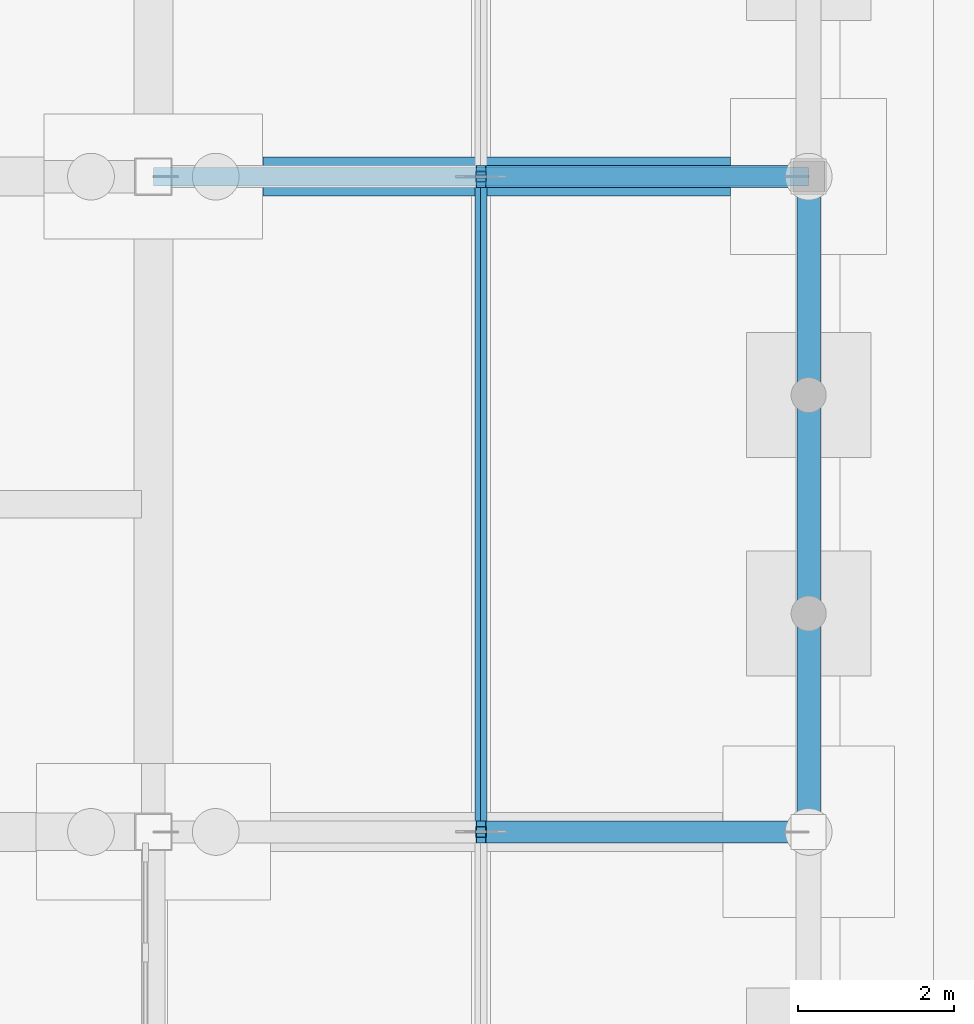
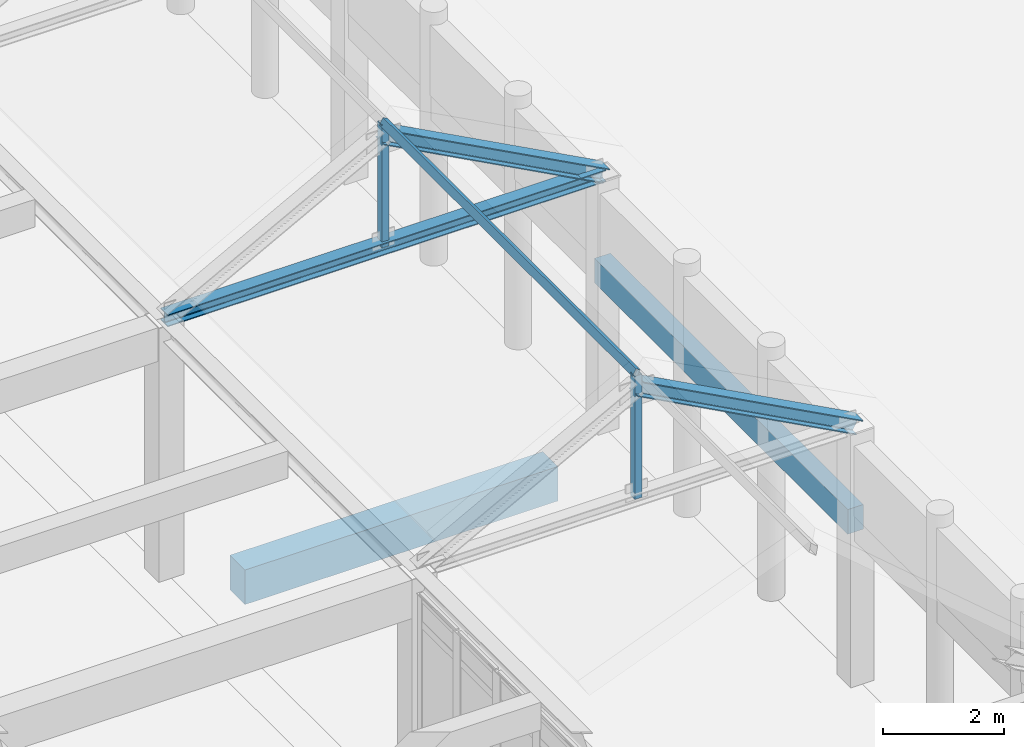
# One storey, part 43 of 143: 6 members, 2 beams.
"""IFC4 building model written with IfcOpenShell, lengths in metres."""

from ifc_helpers import new_model, si_unit, direction, frame, origin, origin_2d, place, context, subcontext, project, spatial, rectangle, hollow_rectangle, i_section, extrude, material, material_profile, profile_set, type_object, element, save


model = new_model("IFC4")

# Units and contexts
model_context = context("Model", 3, precision=1e-05, world=origin(), true_north=direction((0.0, 1.0)))
body_context = subcontext(model_context, "Body", "Model", "MODEL_VIEW")
ifc_project = project(units=[si_unit("LENGTHUNIT", "METRE"), si_unit("AREAUNIT", "SQUARE_METRE"), si_unit("VOLUMEUNIT", "CUBIC_METRE"), si_unit("PLANEANGLEUNIT", "RADIAN"), si_unit("MASSUNIT", "GRAM", prefix="KILO")], contexts=[model_context])

# Site, building, storey
site_placement = place(None, origin())
site = spatial("IfcSite", under=ifc_project, at=site_placement, CompositionType="ELEMENT")
building_placement = place(site_placement, origin())
building = spatial("IfcBuilding", under=site, at=building_placement, Name="Kveldsbrygga Polytechnic", CompositionType="ELEMENT")
storey_placement = place(building_placement, origin())
storey = spatial("IfcBuildingStorey", under=building, at=storey_placement, Name="L00", CompositionType="ELEMENT", Elevation=0.0)

# Beams
ifc_material_1 = material(Name="Concrete C35/45", Category="concrete")
ifc_material_profile_1 = material_profile(ifc_material_1, rectangle(XDim=0.5, YDim=0.699951171875, at=origin_2d()), Name="RC 500x700")
ifc_profile_set_1 = profile_set([ifc_material_profile_1], Name="Concrete C35/45")
beam_type_1 = type_object("IfcBeamType", Name="BM-TIE-500x700", PredefinedType="BEAM", material=ifc_profile_set_1)
beam_1_placement = place(storey_placement, frame((77.001953125, 58.800048828125, -0.669921875), z_axis=(1.0, 0.0, 0.0), x_axis=(0.0, 1.0, 0.0)))
element("IfcBeam", 1, at=beam_1_placement, inside=storey, type_object=beam_type_1, Name="Ground Tie Beam GB-L00-X-09-07", PredefinedType="BEAM", context=body_context, shape_type="SweptSolid", body=[
    extrude(rectangle(XDim=0.5, YDim=0.699951171875, at=origin_2d()), origin(), (0.0, 0.0, 1.0), 5.99609375),
])
ifc_material_profile_2 = material_profile(ifc_material_1, rectangle(XDim=0.300048828125, YDim=0.5, at=origin_2d()), Name="RC 300x500")
ifc_profile_set_2 = profile_set([ifc_material_profile_2], Name="Concrete C35/45")
beam_type_2 = type_object("IfcBeamType", Name="LNT-RC-300x500", PredefinedType="LINTEL", material=ifc_profile_set_2)
beam_2_placement = place(storey_placement, frame((84.0, 50.39990234375, 3.199951171875), z_axis=(0.0, 1.0, 0.0), x_axis=(-1.0, 0.0, 0.0)))
element("IfcBeam", 2, at=beam_2_placement, inside=storey, type_object=beam_type_2, Name="Cloister Arcade Arch Lintel Beam BM-ARC-HDR-18", PredefinedType="LINTEL", context=body_context, shape_type="SweptSolid", body=[
    extrude(rectangle(XDim=0.300048828125, YDim=0.5, at=origin_2d()), origin(), (0.0, 0.0, 1.0), 8.400146484375),
])

# Members
ifc_material_2 = material(Name="Steel S355", Category="steel")
ifc_material_profile_3 = material_profile(ifc_material_2, hollow_rectangle(XDim=0.10009765625, YDim=0.14990234375, WallThickness=0.008056640625, at=origin_2d()), Name="RHS 150x100x8.0")
ifc_profile_set_3 = profile_set([ifc_material_profile_3], Name="Steel S355")
member_type_1 = type_object("IfcMemberType", Name="PRL-RHS150", PredefinedType="PURLIN", material=ifc_profile_set_3)
member_1_placement = place(storey_placement, frame((79.800048828125, 50.39990234375, 7.6337890625), z_axis=(0.0, 1.0, 0.0), x_axis=(-0.881479888517, 0.0, 0.472221564671)))
element("IfcMember", 3, at=member_1_placement, inside=storey, type_object=member_type_1, Name="Roof Purlin ARC-EW-PRL-3-1", PredefinedType="PURLIN", context=body_context, shape_type="SweptSolid", body=[
    extrude(hollow_rectangle(XDim=0.10009765625, YDim=0.14990234375, WallThickness=0.008056640625, at=origin_2d()), origin(), (0.0, 0.0, 1.0), 8.400146484375),
])
ifc_material_profile_4 = material_profile(ifc_material_2, i_section(OverallWidth=0.239990234375, OverallDepth=0.239990234375, WebThickness=0.010009765625, FlangeThickness=0.01708984375, FilletRadius=0.02099609375, at=origin_2d()), Name="HEB 240")
ifc_profile_set_4 = profile_set([ifc_material_profile_4], Name="Steel S355")
member_type_2 = type_object("IfcMemberType", Name="TR-BOT-HEB240", PredefinedType="CHORD", material=ifc_profile_set_4)
member_2_placement = place(storey_placement, frame((75.60009765625, 58.800048828125, 5.139892578125), z_axis=(1.0, 0.0, 0.0), x_axis=(0.0, 1.0, 0.0)))
element("IfcMember", 4, at=member_2_placement, inside=storey, type_object=member_type_2, Name="Truss Bottom Chord ARC-EW-T04-BC-1", PredefinedType="CHORD", context=body_context, shape_type="SweptSolid", body=[
    extrude(i_section(OverallWidth=0.239990234375, OverallDepth=0.239990234375, WebThickness=0.010009765625, FlangeThickness=0.01708984375, FilletRadius=0.02099609375, at=origin_2d()), origin(), (0.0, 0.0, 1.0), 8.39990234375),
])
ifc_material_profile_5 = material_profile(ifc_material_2, hollow_rectangle(XDim=0.139892578125, YDim=0.139892578125, WallThickness=0.008056640625, at=origin_2d()), Name="SHS 140x140x8.0")
ifc_profile_set_5 = profile_set([ifc_material_profile_5], Name="Steel S355")
member_type_3 = type_object("IfcMemberType", Name="TR-POST-SHS140", PredefinedType="STRUT", material=ifc_profile_set_5)
for number, where, z_axis, x_axis, name in (
    (5, (79.800048828125, 50.39990234375, 5.139892578125), (0.0, 0.0, 1.0), (1.0, 0.0, 0.0), "Truss Vertical ARC-EW-T03-VT-1"),
    (6, (79.800048828125, 58.800048828125, 5.139892578125), (0.0, 0.0, 1.0), (1.0, 0.0, 0.0), "Truss Vertical ARC-EW-T04-VT-1"),
):
    element("IfcMember", number, at=place(storey_placement, frame(where, z_axis=z_axis, x_axis=x_axis)), inside=storey, type_object=member_type_3, Name=name, PredefinedType="STRUT", context=body_context, shape_type="SweptSolid", body=[
        extrude(hollow_rectangle(XDim=0.139892578125, YDim=0.139892578125, WallThickness=0.008056640625, at=origin_2d()), origin(), (0.0, 0.0, 1.0), 2.493896484375),
    ])
ifc_material_profile_6 = material_profile(ifc_material_2, i_section(OverallWidth=0.280029296875, OverallDepth=0.280029296875, WebThickness=0.010498046875, FlangeThickness=0.01806640625, FilletRadius=0.02392578125, at=origin_2d()), Name="HEB 280")
ifc_profile_set_6 = profile_set([ifc_material_profile_6], Name="Steel S355")
member_type_4 = type_object("IfcMemberType", Name="TR-TOP-HEB280", PredefinedType="CHORD", material=ifc_profile_set_6)
for number, where, z_axis, x_axis, name in (
    (7, (79.800048828125, 50.39990234375, 7.389892578125), (0.881477684796, 0.0, -0.472225678258), (0.0, 1.0, 0.0), "Truss Top Chord ARC-EW-T03-TC-2"),
    (8, (79.800048828125, 58.800048828125, 7.389892578125), (0.881477684796, 0.0, -0.472225678258), (0.0, 1.0, 0.0), "Truss Top Chord ARC-EW-T04-TC-2"),
):
    element("IfcMember", number, at=place(storey_placement, frame(where, z_axis=z_axis, x_axis=x_axis)), inside=storey, type_object=member_type_4, Name=name, PredefinedType="CHORD", context=body_context, shape_type="SweptSolid", body=[
        extrude(i_section(OverallWidth=0.280029296875, OverallDepth=0.280029296875, WebThickness=0.010498046875, FlangeThickness=0.01806640625, FilletRadius=0.02392578125, at=origin_2d()), origin(), (0.0, 0.0, 1.0), 4.7646484375),
    ])

save(model, "model.ifc")
